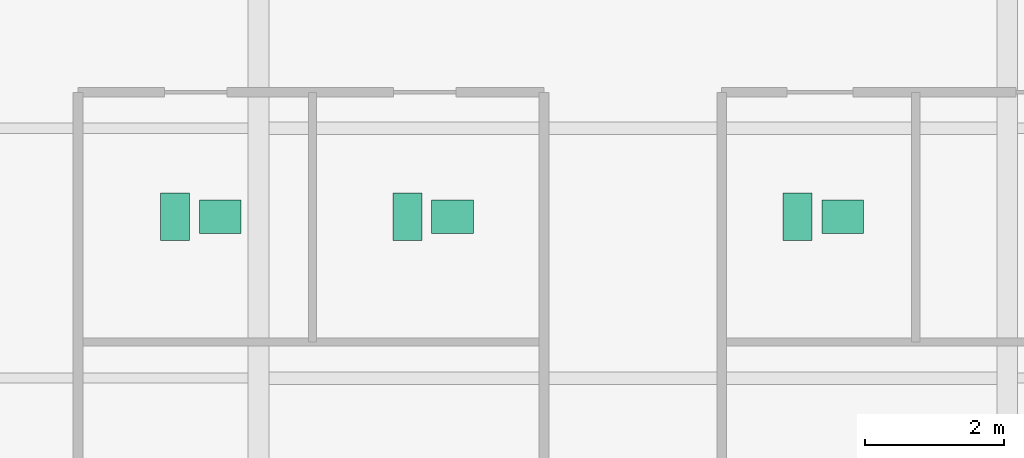
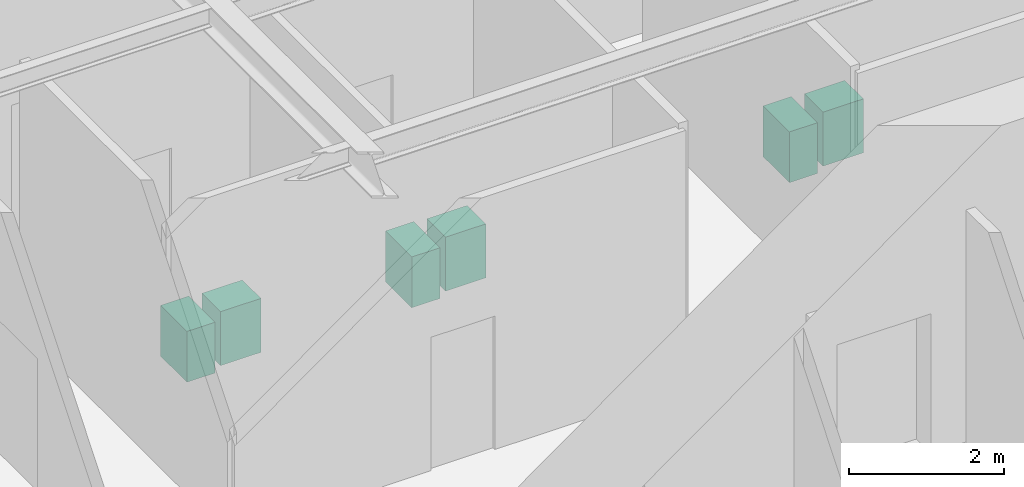
# One storey, part 21 of 22: 6 sanitary terminals.
"""IFC4 building model written with IfcOpenShell, lengths in metres."""

from ifc_helpers import new_model, si_unit, direction, frame, origin, origin_2d, place, context, subcontext, project, spatial, rectangle, extrude, source, transform, mapped, material, type_object, type_shapes, element, save


model = new_model("IFC4")

# Units and contexts
model_context = context("Model", 3, precision=1e-05, world=origin(), true_north=direction((0.0, 1.0)))
body_context = subcontext(model_context, "Body", "Model", "MODEL_VIEW")
ifc_project = project(units=[si_unit("LENGTHUNIT", "METRE"), si_unit("AREAUNIT", "SQUARE_METRE"), si_unit("VOLUMEUNIT", "CUBIC_METRE"), si_unit("PLANEANGLEUNIT", "RADIAN"), si_unit("MASSUNIT", "GRAM", prefix="KILO")], contexts=[model_context])

# Site, building, storey
site_placement = place(None, origin())
site = spatial("IfcSite", under=ifc_project, at=site_placement, CompositionType="ELEMENT")
building_placement = place(site_placement, origin())
building = spatial("IfcBuilding", under=site, at=building_placement, Name="Krantzveldt Concourse Tower", CompositionType="ELEMENT")
storey_placement = place(building_placement, frame((0.0, 0.0, 262.60009765625)))
storey = spatial("IfcBuildingStorey", under=building, at=storey_placement, Name="L64", CompositionType="ELEMENT", Elevation=262.60009765625)

# Sanitary terminals
ifc_material = material(Name="Vitreous china", Category="ceramic")
sanitary_terminal_type_1 = type_object("IfcSanitaryTerminalType", Name="SAN-WC-SUITE", PredefinedType="TOILETPAN", material=ifc_material)
shared_shape_1 = source(origin(), body_context, "Body", "SweptSolid", [
    extrude(rectangle(XDim=0.419921875, YDim=0.679931640625, at=origin_2d()), origin(), (0.0, 0.0, 1.0), 0.800048828125),
])
type_shapes(sanitary_terminal_type_1, [shared_shape_1])
for number, where, z_axis, x_axis, name in (
    (1, (29.39990234375, 32.52490234375, 0.0), (0.0, 0.0, 1.0), (1.0, 0.0, 0.0), "WC-SP-L64-WCM"),
    (2, (32.75, 32.52490234375, 0.0), (0.0, 0.0, 1.0), (1.0, 0.0, 0.0), "WC-SP-L64-WCF"),
    (3, (38.375, 32.52490234375, 0.0), (0.0, 0.0, 1.0), (1.0, 0.0, 0.0), "WC-SP-L64-WCA"),
):
    element("IfcSanitaryTerminal", number, at=place(storey_placement, frame(where, z_axis=z_axis, x_axis=x_axis)), inside=storey, type_object=sanitary_terminal_type_1, Name=name, PredefinedType="TOILETPAN", context=body_context, shape_type="MappedRepresentation", body=[
        mapped(shared_shape_1, transform((0.0, 0.0, 0.0), x_axis=(1.0, 0.0, 0.0), y_axis=(0.0, 1.0, 0.0), z_axis=(0.0, 0.0, 1.0), scale=1.0)),
    ])
sanitary_terminal_type_2 = type_object("IfcSanitaryTerminalType", Name="SAN-BASIN-600", PredefinedType="WASHHANDBASIN", material=ifc_material)
shared_shape_2 = source(origin(), body_context, "Body", "SweptSolid", [
    extrude(rectangle(XDim=0.60009765625, YDim=0.47998046875, at=origin_2d()), origin(), (0.0, 0.0, 1.0), 0.85009765625),
])
type_shapes(sanitary_terminal_type_2, [shared_shape_2])
for number, where, z_axis, x_axis, name in (
    (4, (30.050048828125, 32.52490234375, 0.0048828125), (0.0, 0.0, 1.0), (1.0, 0.0, 0.0), "BSN-SP-L64-WCM"),
    (5, (33.39990234375, 32.52490234375, 0.0048828125), (0.0, 0.0, 1.0), (1.0, 0.0, 0.0), "BSN-SP-L64-WCF"),
    (6, (39.02490234375, 32.52490234375, 0.0048828125), (0.0, 0.0, 1.0), (1.0, 0.0, 0.0), "BSN-SP-L64-WCA"),
):
    element("IfcSanitaryTerminal", number, at=place(storey_placement, frame(where, z_axis=z_axis, x_axis=x_axis)), inside=storey, type_object=sanitary_terminal_type_2, Name=name, PredefinedType="WASHHANDBASIN", context=body_context, shape_type="MappedRepresentation", body=[
        mapped(shared_shape_2, transform((0.0, 0.0, 0.0), x_axis=(1.0, 0.0, 0.0), y_axis=(0.0, 1.0, 0.0), z_axis=(0.0, 0.0, 1.0), scale=1.0)),
    ])

save(model, "model.ifc")
